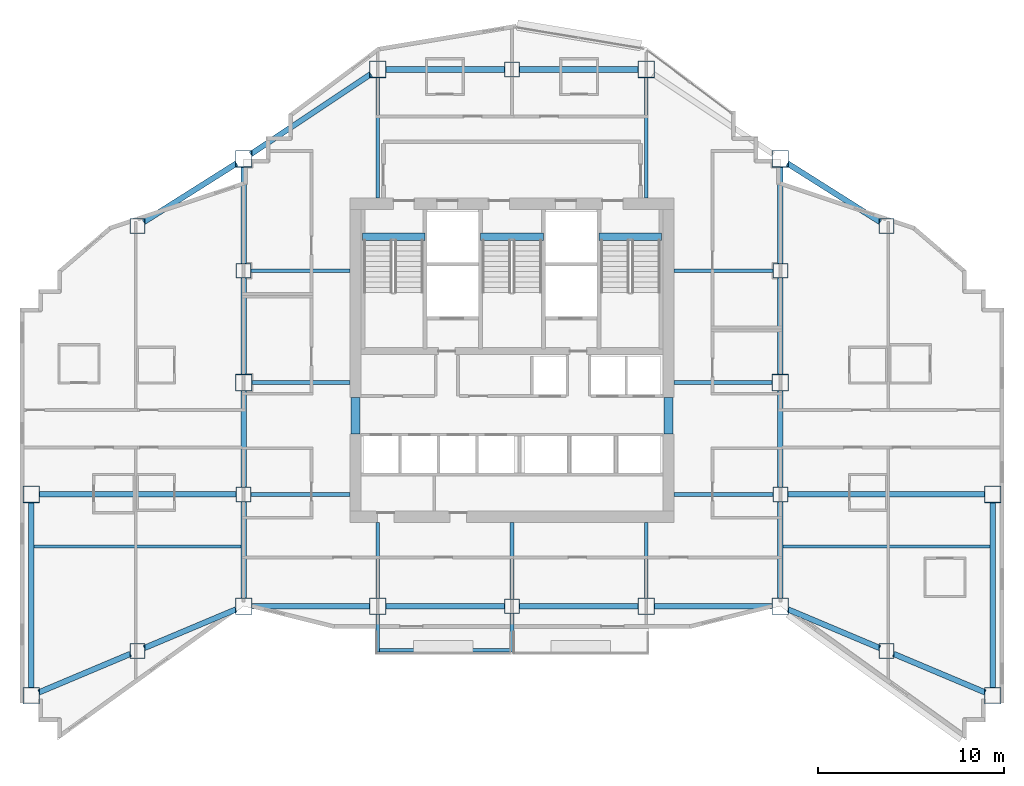
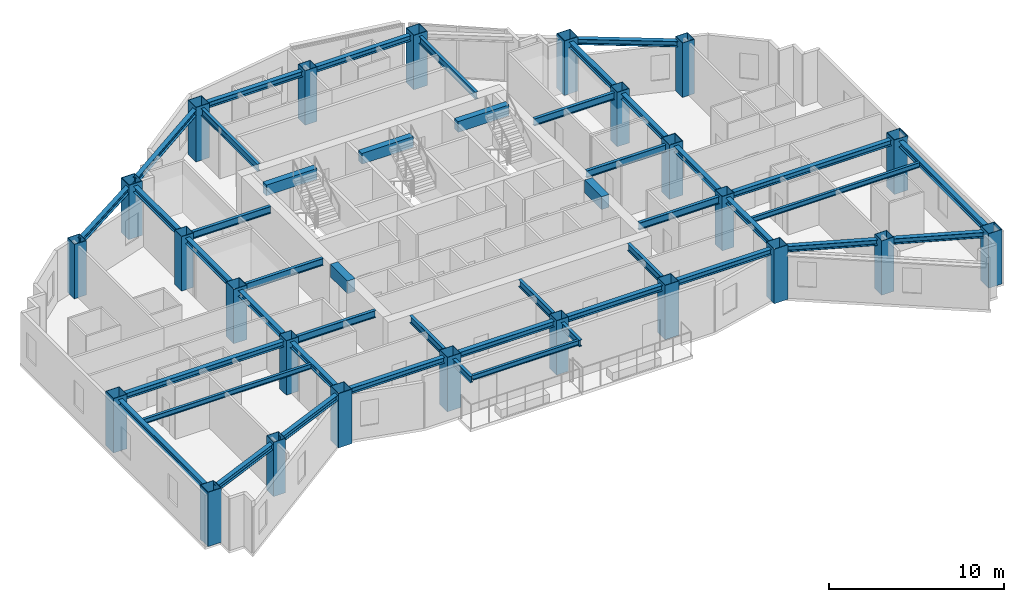
# One storey, part 1 of 12: 46 beams, 24 columns.
"""IFC4 building model written with IfcOpenShell, lengths in metres."""

import ifcopenshell
import ifcopenshell.guid

model = None  # the IFC model being written
_history = None  # IfcOwnerHistory: only IFC2X3 demands one
_inside = {}  # id of a spatial element -> (the spatial element, [elements in it])
_under = {}  # id of a project, library or spatial element -> (it, [spatial elements below it])
_declared = {}  # id of a project -> (the project, [libraries it declares])
_typed = {}  # id of a type object -> (the type object, [elements of that type])
_made_of = {}  # id of a material, layer set ... -> (it, [elements and type objects made of it])


def new_model(schema):
    """Start an empty IFC model of exactly this schema.

    Asked for "IFC4X3", IfcOpenShell would pick the latest addendum, in which some entities
    have other attributes; the version numbers below select the first issue.
    IFC2X3 requires an IfcOwnerHistory on every rooted entity: one is made here for all.
    """
    global model, _history
    if schema == "IFC4X3":
        model = ifcopenshell.file(schema_version=(4, 3, 0, 0))
    else:
        model = ifcopenshell.file(schema=schema)
    _inside.clear()
    _under.clear()
    _declared.clear()
    _typed.clear()
    _made_of.clear()
    _history = None
    if model.schema == "IFC2X3":
        org = make("IfcOrganization", Name="unknown")
        user = make(
            "IfcPersonAndOrganization",
            ThePerson=make("IfcPerson", FamilyName="unknown"),
            TheOrganization=org,
        )
        app = make(
            "IfcApplication",
            ApplicationDeveloper=org,
            Version="unknown",
            ApplicationFullName="unknown",
            ApplicationIdentifier="unknown",
        )
        _history = make(
            "IfcOwnerHistory",
            OwningUser=user,
            OwningApplication=app,
            ChangeAction="ADDED",
            CreationDate=0,
        )
    return model


def make(cls, **values):
    """One entity of the class cls with the attributes given. An attribute that is None is left unset."""
    return model.create_entity(
        cls, **{name: value for name, value in values.items() if value is not None}
    )


def rooted(cls, **values):
    """An entity with a GlobalId (a new one), such as an element, a storey or a relation."""
    return make(cls, GlobalId=ifcopenshell.guid.new(), OwnerHistory=_history, **values)


def si_unit(unit_type, name, prefix=None):
    """IfcSIUnit, for example si_unit("LENGTHUNIT", "METRE", prefix="MILLI")."""
    return make("IfcSIUnit", UnitType=unit_type, Prefix=prefix, Name=name)


def assignment(units):
    """IfcUnitAssignment: the units of a project."""
    return None if units is None else make("IfcUnitAssignment", Units=units)


def point(xyz):
    """IfcCartesianPoint."""
    return None if xyz is None else make("IfcCartesianPoint", Coordinates=xyz)


def direction(xyz):
    """IfcDirection."""
    return None if xyz is None else make("IfcDirection", DirectionRatios=xyz)


def frame(location, z_axis=None, x_axis=None):
    """IfcAxis2Placement3D, a coordinate frame: its origin and axes. An axis left out is left unset."""
    return make(
        "IfcAxis2Placement3D",
        Location=point(location),
        Axis=direction(z_axis),
        RefDirection=direction(x_axis),
    )


def frame_2d(location, x_axis=None):
    """IfcAxis2Placement2D, a coordinate frame in the plane: its origin and x axis."""
    return make(
        "IfcAxis2Placement2D", Location=point(location), RefDirection=direction(x_axis)
    )


def origin():
    """The frame at (0, 0, 0) with its axes left unset."""
    return frame((0.0, 0.0, 0.0))


def origin_2d():
    """The frame at (0, 0) in the plane with its x axis left unset."""
    return frame_2d((0.0, 0.0))


def place(relative_to, where):
    """IfcLocalPlacement: puts the frame where relative to a parent placement (None: the world)."""
    return make(
        "IfcLocalPlacement", PlacementRelTo=relative_to, RelativePlacement=where
    )


def context(
    kind, dimensions, precision=None, world=None, true_north=None, identifier=None
):
    """IfcGeometricRepresentationContext, for example the 3D "Model" context."""
    return make(
        "IfcGeometricRepresentationContext",
        ContextIdentifier=identifier,
        ContextType=kind,
        CoordinateSpaceDimension=dimensions,
        Precision=precision,
        WorldCoordinateSystem=world,
        TrueNorth=true_north,
    )


def subcontext(parent, identifier, kind, view, scale=None):
    """IfcGeometricRepresentationSubContext, for example "Body" below "Model"."""
    return make(
        "IfcGeometricRepresentationSubContext",
        ContextIdentifier=identifier,
        ContextType=kind,
        ParentContext=parent,
        TargetScale=scale,
        TargetView=view,
    )


def project(units=None, contexts=None):
    """IfcProject with its units and contexts."""
    return rooted(
        "IfcProject",
        Name="project",
        RepresentationContexts=contexts,
        UnitsInContext=assignment(units),
    )


def spatial(cls, under=None, at=None, **own):
    """A site, building, storey or space (cls), placed at a placement, below another one or the project."""
    s = rooted(cls, ObjectPlacement=at, **own)
    if under is not None:
        _under.setdefault(under.id(), (under, []))[1].append(s)
    return s


def profile(cls, at=None, kind="AREA", **sizes):
    """A parametric profile (cls). Its sizes go by their IFC names, for example OverallWidth=200.0."""
    return make(cls, ProfileType=kind, Position=at, **sizes)


def rectangle(**sizes):
    """IfcRectangleProfileDef."""
    return profile("IfcRectangleProfileDef", **sizes)


def hollow_rectangle(**sizes):
    """IfcRectangleHollowProfileDef."""
    return profile("IfcRectangleHollowProfileDef", **sizes)


def i_section(**sizes):
    """IfcIShapeProfileDef."""
    return profile("IfcIShapeProfileDef", **sizes)


def extrude(swept, where, along, depth):
    """IfcExtrudedAreaSolid: the profile swept, set in the frame where, extruded along a direction by depth."""
    return make(
        "IfcExtrudedAreaSolid",
        SweptArea=swept,
        Position=where,
        ExtrudedDirection=direction(along),
        Depth=depth,
    )


def shape(context_of_items, identifier, shape_type, items):
    """IfcShapeRepresentation: the items that make up one representation, for example the "Body"."""
    return make(
        "IfcShapeRepresentation",
        ContextOfItems=context_of_items,
        RepresentationIdentifier=identifier,
        RepresentationType=shape_type,
        Items=items,
    )


def material(Name=None, Category=None):
    """IfcMaterial."""
    return make("IfcMaterial", Name=Name, Category=Category)


def material_profile(
    of_material, cross_section, Name=None, Category=None, Priority=None
):
    """IfcMaterialProfile: a cross section and its material."""
    return make(
        "IfcMaterialProfile",
        Name=Name,
        Material=of_material,
        Profile=cross_section,
        Priority=Priority,
        Category=Category,
    )


def profile_set(profiles, Name=None, composite=None):
    """IfcMaterialProfileSet."""
    return make(
        "IfcMaterialProfileSet",
        Name=Name,
        MaterialProfiles=profiles,
        CompositeProfile=composite,
    )


def made_of(thing, what):
    """Note that an element or type object is made of a material, layer set ...; save() writes the relation."""
    if what is not None:
        _made_of.setdefault(what.id(), (what, []))[1].append(thing)
    return thing


def type_object(cls, material=None, **own):
    """A type object (cls), such as IfcWallType, which elements share."""
    return made_of(rooted(cls, **own), material)


def element(
    cls,
    number,
    at=None,
    inside=None,
    cuts=None,
    type_object=None,
    material=None,
    context=None,
    identifier="Body",
    shape_type=None,
    held_by="IfcProductDefinitionShape",
    body=None,
    shapes=None,
    **own,
):
    """One element of the class cls, such as IfcWall. Its Tag is "e" and its number.

    at: its placement. inside: the storey or other place that contains it. cuts: it is an
    opening in that element (IfcRelVoidsElement). A single representation is given by context,
    identifier, shape_type and body (its items); several are given by shapes. held_by: the class
    of the entity that holds the representations. save() writes the other relations.
    """
    e = rooted(cls, Tag="e%d" % number, ObjectPlacement=at, **own)
    if body is not None:
        shapes = [shape(context, identifier, shape_type, body)]
    if shapes is not None:
        e.Representation = make(held_by, Representations=shapes)
    if inside is not None:
        _inside.setdefault(inside.id(), (inside, []))[1].append(e)
    if cuts is not None:
        rooted(
            "IfcRelVoidsElement", RelatingBuildingElement=cuts, RelatedOpeningElement=e
        )
    if type_object is not None:
        _typed.setdefault(type_object.id(), (type_object, []))[1].append(e)
    return made_of(e, material)


def aggregate(whole, parts):
    """IfcRelAggregates: a whole, such as a stair, and the parts it consists of."""
    return rooted("IfcRelAggregates", RelatingObject=whole, RelatedObjects=parts)


def save(model, path):
    """Write the relations noted so far, then the file.

    IfcRelAggregates (storeys below a building ...), IfcRelContainedInSpatialStructure (elements
    in a storey), IfcRelDefinesByType, IfcRelAssociatesMaterial and IfcRelDeclares: one each for
    every whole, place, type object, material and project.
    """
    for whole, parts in _under.values():
        aggregate(whole, parts)
    for where, things in _inside.values():
        rooted(
            "IfcRelContainedInSpatialStructure",
            RelatedElements=things,
            RelatingStructure=where,
        )
    for kind, things in _typed.values():
        rooted("IfcRelDefinesByType", RelatedObjects=things, RelatingType=kind)
    for what, things in _made_of.values():
        rooted("IfcRelAssociatesMaterial", RelatedObjects=things, RelatingMaterial=what)
    for by, libraries in _declared.values():
        rooted("IfcRelDeclares", RelatingContext=by, RelatedDefinitions=libraries)
    model.write(path)


model = new_model("IFC4")

# Units and contexts
model_context = context("Model", 3, precision=1e-05, world=origin(), true_north=direction((0.0, 1.0)))
body_context = subcontext(model_context, "Body", "Model", "MODEL_VIEW")
ifc_project = project(units=[si_unit("LENGTHUNIT", "METRE"), si_unit("AREAUNIT", "SQUARE_METRE"), si_unit("VOLUMEUNIT", "CUBIC_METRE"), si_unit("PLANEANGLEUNIT", "RADIAN"), si_unit("MASSUNIT", "GRAM", prefix="KILO")], contexts=[model_context])

# Site, building, storey
site_placement = place(None, origin())
site = spatial("IfcSite", under=ifc_project, at=site_placement, CompositionType="ELEMENT")
building_placement = place(site_placement, origin())
building = spatial("IfcBuilding", under=site, at=building_placement, Name="Haolan Belvedere Tower", CompositionType="ELEMENT")
storey_placement = place(building_placement, frame((0.0, 0.0, 169.0)))
storey = spatial("IfcBuildingStorey", under=building, at=storey_placement, Name="L42", CompositionType="ELEMENT", Elevation=169.0)

# Columns
ifc_material_1 = material(Name="Steel Q390GJC", Category="steel")
ifc_material_profile_1 = material_profile(ifc_material_1, hollow_rectangle(XDim=0.800048828125, YDim=0.800048828125, WallThickness=0.030029296875, at=origin_2d()), Name="Steel Q390GJC")
ifc_profile_set_1 = profile_set([ifc_material_profile_1], Name="Steel Q390GJC")
column_type_1 = type_object("IfcColumnType", Name="COL-BOX800x800x30", PredefinedType="COLUMN", material=ifc_profile_set_1)
for number, where, z_axis, x_axis, name in (
    (1, (24.0, 27.60009765625, 0.0), (0.0, 0.0, 1.0), (1.0, 0.0, 0.0), "L42 column TC-T3-W1 (BOX800x800x30)"),
    (2, (24.0, 39.60009765625, 0.0), (0.0, 0.0, 1.0), (1.0, 0.0, 0.0), "L42 column TC-T3-W2 (BOX800x800x30)"),
    (3, (52.800048828125, 27.60009765625, 0.0), (0.0, 0.0, 1.0), (1.0, 0.0, 0.0), "L42 column TC-T3-E1 (BOX800x800x30)"),
    (4, (52.800048828125, 39.60009765625, 0.0), (0.0, 0.0, 1.0), (1.0, 0.0, 0.0), "L42 column TC-T3-E2 (BOX800x800x30)"),
    (5, (38.39990234375, 21.60009765625, 0.0), (0.0, 0.0, 1.0), (1.0, 0.0, 0.0), "L42 column TC-T3-SM (BOX800x800x30)"),
    (6, (38.39990234375, 50.39990234375, 0.0), (0.0, 0.0, 1.0), (1.0, 0.0, 0.0), "L42 column TC-T3-NM (BOX800x800x30)"),
    (7, (18.300048828125, 19.199951171875, 0.0), (0.0, 0.0, 1.0), (1.0, 0.0, 0.0), "L42 column TC-T2-S1 (BOX800x800x30)"),
    (8, (18.300048828125, 42.0, 0.0), (0.0, 0.0, 1.0), (1.0, 0.0, 0.0), "L42 column TC-T2-N1 (BOX800x800x30)"),
    (9, (58.5, 19.199951171875, 0.0), (0.0, 0.0, 1.0), (1.0, 0.0, 0.0), "L42 column TC-T4-S1 (BOX800x800x30)"),
    (10, (58.5, 42.0, 0.0), (0.0, 0.0, 1.0), (1.0, 0.0, 0.0), "L42 column TC-T4-N1 (BOX800x800x30)"),
):
    element("IfcColumn", number, at=place(storey_placement, frame(where, z_axis=z_axis, x_axis=x_axis)), inside=storey, type_object=column_type_1, Name=name, PredefinedType="COLUMN", context=body_context, shape_type="SweptSolid", body=[
        extrude(hollow_rectangle(XDim=0.800048828125, YDim=0.800048828125, WallThickness=0.030029296875, at=origin_2d()), origin(), (0.0, 0.0, 1.0), 3.800048828125),
    ])
ifc_material_profile_2 = material_profile(ifc_material_1, hollow_rectangle(XDim=0.89990234375, YDim=0.89990234375, WallThickness=0.033935546875, at=origin_2d()), Name="Steel Q390GJC")
ifc_profile_set_2 = profile_set([ifc_material_profile_2], Name="Steel Q390GJC")
column_type_2 = type_object("IfcColumnType", Name="COL-BOX900x900x34", PredefinedType="COLUMN", material=ifc_profile_set_2)
for number, where, z_axis, x_axis, name in (
    (11, (24.0, 21.60009765625, 0.0), (0.0, 0.0, 1.0), (1.0, 0.0, 0.0), "L42 column MC-T3-SW (BOX900x900x34)"),
    (12, (24.0, 33.60009765625, 0.0), (0.0, 0.0, 1.0), (1.0, 0.0, 0.0), "L42 column MC-T3-MW (BOX900x900x34)"),
    (13, (24.0, 45.60009765625, 0.0), (0.0, 0.0, 1.0), (1.0, 0.0, 0.0), "L42 column MC-T3-NW (BOX900x900x34)"),
    (14, (52.800048828125, 21.60009765625, 0.0), (0.0, 0.0, 1.0), (1.0, 0.0, 0.0), "L42 column MC-T3-SE (BOX900x900x34)"),
    (15, (52.800048828125, 33.60009765625, 0.0), (0.0, 0.0, 1.0), (1.0, 0.0, 0.0), "L42 column MC-T3-ME (BOX900x900x34)"),
    (16, (52.800048828125, 45.60009765625, 0.0), (0.0, 0.0, 1.0), (1.0, 0.0, 0.0), "L42 column MC-T3-NE (BOX900x900x34)"),
    (17, (31.199951171875, 21.60009765625, 0.0), (0.0, 0.0, 1.0), (1.0, 0.0, 0.0), "L42 column MC-T3-S1 (BOX900x900x34)"),
    (18, (45.60009765625, 21.60009765625, 0.0), (0.0, 0.0, 1.0), (1.0, 0.0, 0.0), "L42 column MC-T3-S2 (BOX900x900x34)"),
    (19, (31.199951171875, 50.39990234375, 0.0), (0.0, 0.0, 1.0), (1.0, 0.0, 0.0), "L42 column MC-T3-N1 (BOX900x900x34)"),
    (20, (45.60009765625, 50.39990234375, 0.0), (0.0, 0.0, 1.0), (1.0, 0.0, 0.0), "L42 column MC-T3-N2 (BOX900x900x34)"),
    (21, (12.60009765625, 16.800048828125, 0.0), (0.0, 0.0, 1.0), (1.0, 0.0, 0.0), "L42 column MC-T2-SW (BOX900x900x34)"),
    (22, (12.60009765625, 27.60009765625, 0.0), (0.0, 0.0, 1.0), (1.0, 0.0, 0.0), "L42 column MC-T2-MW (BOX900x900x34)"),
    (23, (64.199951171875, 16.800048828125, 0.0), (0.0, 0.0, 1.0), (1.0, 0.0, 0.0), "L42 column MC-T4-SE (BOX900x900x34)"),
    (24, (64.199951171875, 27.60009765625, 0.0), (0.0, 0.0, 1.0), (1.0, 0.0, 0.0), "L42 column MC-T4-ME (BOX900x900x34)"),
):
    element("IfcColumn", number, at=place(storey_placement, frame(where, z_axis=z_axis, x_axis=x_axis)), inside=storey, type_object=column_type_2, Name=name, PredefinedType="COLUMN", context=body_context, shape_type="SweptSolid", body=[
        extrude(hollow_rectangle(XDim=0.89990234375, YDim=0.89990234375, WallThickness=0.033935546875, at=origin_2d()), origin(), (0.0, 0.0, 1.0), 3.800048828125),
    ])

# Beams
ifc_material_2 = material(Name="Steel Q355B", Category="steel")
ifc_material_profile_3 = material_profile(ifc_material_2, i_section(OverallWidth=0.300048828125, OverallDepth=0.389892578125, WebThickness=0.010009765625, FlangeThickness=0.01611328125, FilletRadius=0.02197265625, at=origin_2d()), Name="Steel Q355B")
ifc_profile_set_3 = profile_set([ifc_material_profile_3], Name="Steel Q355B")
beam_type_1 = type_object("IfcBeamType", Name="BM-HM390x300x10x16", PredefinedType="SPANDREL", material=ifc_profile_set_3)
for number, where, z_axis, x_axis, name in (
    (25, (24.0, 22.050048828125, 3.425048828125), (0.0, 1.0, 0.0), (-1.0, 0.0, 0.0), "L42 spandrel girder MC-T3-SW-TC-T3-W1"),
    (26, (24.0, 28.0, 3.425048828125), (0.0, 1.0, 0.0), (-1.0, 0.0, 0.0), "L42 spandrel girder TC-T3-W1-MC-T3-MW"),
    (27, (24.0, 34.050048828125, 3.425048828125), (0.0, 1.0, 0.0), (-1.0, 0.0, 0.0), "L42 spandrel girder MC-T3-MW-TC-T3-W2"),
    (28, (24.0, 40.0, 3.425048828125), (0.0, 1.0, 0.0), (-1.0, 0.0, 0.0), "L42 spandrel girder TC-T3-W2-MC-T3-NW"),
    (29, (52.800048828125, 22.050048828125, 3.425048828125), (0.0, 1.0, 0.0), (-1.0, 0.0, 0.0), "L42 spandrel girder MC-T3-SE-TC-T3-E1"),
    (30, (52.800048828125, 28.0, 3.425048828125), (0.0, 1.0, 0.0), (-1.0, 0.0, 0.0), "L42 spandrel girder TC-T3-E1-MC-T3-ME"),
    (31, (52.800048828125, 34.050048828125, 3.425048828125), (0.0, 1.0, 0.0), (-1.0, 0.0, 0.0), "L42 spandrel girder MC-T3-ME-TC-T3-E2"),
    (32, (52.800048828125, 40.0, 3.425048828125), (0.0, 1.0, 0.0), (-1.0, 0.0, 0.0), "L42 spandrel girder TC-T3-E2-MC-T3-NE"),
):
    element("IfcBeam", number, at=place(storey_placement, frame(where, z_axis=z_axis, x_axis=x_axis)), inside=storey, type_object=beam_type_1, Name=name, PredefinedType="SPANDREL", context=body_context, shape_type="SweptSolid", body=[
        extrude(i_section(OverallWidth=0.300048828125, OverallDepth=0.389892578125, WebThickness=0.010009765625, FlangeThickness=0.01611328125, FilletRadius=0.02197265625, at=origin_2d()), origin(), (0.0, 0.0, 1.0), 5.14990234375),
    ])
beam_1_placement = place(storey_placement, frame((24.449951171875, 21.60009765625, 3.425048828125), z_axis=(1.0, 0.0, 0.0), x_axis=(0.0, 1.0, 0.0)))
element("IfcBeam", 33, at=beam_1_placement, inside=storey, type_object=beam_type_1, Name="L42 spandrel girder MC-T3-SW-MC-T3-S1", PredefinedType="SPANDREL", context=body_context, shape_type="SweptSolid", body=[
    extrude(i_section(OverallWidth=0.300048828125, OverallDepth=0.389892578125, WebThickness=0.010009765625, FlangeThickness=0.01611328125, FilletRadius=0.02197265625, at=origin_2d()), origin(), (0.0, 0.0, 1.0), 6.300048828125),
])
beam_2_placement = place(storey_placement, frame((31.64990234375, 21.60009765625, 3.425048828125), z_axis=(1.0, 0.0, 0.0), x_axis=(0.0, 1.0, 0.0)))
element("IfcBeam", 34, at=beam_2_placement, inside=storey, type_object=beam_type_1, Name="L42 spandrel girder MC-T3-S1-TC-T3-SM", PredefinedType="SPANDREL", context=body_context, shape_type="SweptSolid", body=[
    extrude(i_section(OverallWidth=0.300048828125, OverallDepth=0.389892578125, WebThickness=0.010009765625, FlangeThickness=0.01611328125, FilletRadius=0.02197265625, at=origin_2d()), origin(), (0.0, 0.0, 1.0), 6.35009765625),
])
beam_3_placement = place(storey_placement, frame((38.800048828125, 21.60009765625, 3.425048828125), z_axis=(1.0, 0.0, 0.0), x_axis=(0.0, 1.0, 0.0)))
element("IfcBeam", 35, at=beam_3_placement, inside=storey, type_object=beam_type_1, Name="L42 spandrel girder TC-T3-SM-MC-T3-S2", PredefinedType="SPANDREL", context=body_context, shape_type="SweptSolid", body=[
    extrude(i_section(OverallWidth=0.300048828125, OverallDepth=0.389892578125, WebThickness=0.010009765625, FlangeThickness=0.01611328125, FilletRadius=0.02197265625, at=origin_2d()), origin(), (0.0, 0.0, 1.0), 6.349853515625),
])
beam_4_placement = place(storey_placement, frame((46.050048828125, 21.60009765625, 3.425048828125), z_axis=(1.0, 0.0, 0.0), x_axis=(0.0, 1.0, 0.0)))
element("IfcBeam", 36, at=beam_4_placement, inside=storey, type_object=beam_type_1, Name="L42 spandrel girder MC-T3-S2-MC-T3-SE", PredefinedType="SPANDREL", context=body_context, shape_type="SweptSolid", body=[
    extrude(i_section(OverallWidth=0.300048828125, OverallDepth=0.389892578125, WebThickness=0.010009765625, FlangeThickness=0.01611328125, FilletRadius=0.02197265625, at=origin_2d()), origin(), (0.0, 0.0, 1.0), 6.300048828125),
])
beam_5_placement = place(storey_placement, frame((24.37451171875, 45.849609375, 3.425048828125), z_axis=(0.832050294338, 0.554700196225, 0.0), x_axis=(-0.554700196225, 0.832050294338, 0.0)))
element("IfcBeam", 37, at=beam_5_placement, inside=storey, type_object=beam_type_1, Name="L42 spandrel girder MC-T3-NW-MC-T3-N1", PredefinedType="SPANDREL", context=body_context, shape_type="SweptSolid", body=[
    extrude(i_section(OverallWidth=0.300048828125, OverallDepth=0.389892578125, WebThickness=0.010009765625, FlangeThickness=0.01611328125, FilletRadius=0.02197265625, at=origin_2d()), origin(), (0.0, 0.0, 1.0), 7.75341796875),
])
beam_6_placement = place(storey_placement, frame((31.64990234375, 50.39990234375, 3.425048828125), z_axis=(1.0, 0.0, 0.0), x_axis=(0.0, 1.0, 0.0)))
element("IfcBeam", 38, at=beam_6_placement, inside=storey, type_object=beam_type_1, Name="L42 spandrel girder MC-T3-N1-TC-T3-NM", PredefinedType="SPANDREL", context=body_context, shape_type="SweptSolid", body=[
    extrude(i_section(OverallWidth=0.300048828125, OverallDepth=0.389892578125, WebThickness=0.010009765625, FlangeThickness=0.01611328125, FilletRadius=0.02197265625, at=origin_2d()), origin(), (0.0, 0.0, 1.0), 6.35009765625),
])
beam_7_placement = place(storey_placement, frame((38.800048828125, 50.39990234375, 3.425048828125), z_axis=(1.0, 0.0, 0.0), x_axis=(0.0, 1.0, 0.0)))
element("IfcBeam", 39, at=beam_7_placement, inside=storey, type_object=beam_type_1, Name="L42 spandrel girder TC-T3-NM-MC-T3-N2", PredefinedType="SPANDREL", context=body_context, shape_type="SweptSolid", body=[
    extrude(i_section(OverallWidth=0.300048828125, OverallDepth=0.389892578125, WebThickness=0.010009765625, FlangeThickness=0.01611328125, FilletRadius=0.02197265625, at=origin_2d()), origin(), (0.0, 0.0, 1.0), 6.349853515625),
])
beam_8_placement = place(storey_placement, frame((12.60009765625, 17.25, 3.425048828125), z_axis=(0.0, 1.0, 0.0), x_axis=(-1.0, 0.0, 0.0)))
element("IfcBeam", 40, at=beam_8_placement, inside=storey, type_object=beam_type_1, Name="L42 spandrel girder MC-T2-SW-MC-T2-MW", PredefinedType="SPANDREL", context=body_context, shape_type="SweptSolid", body=[
    extrude(i_section(OverallWidth=0.300048828125, OverallDepth=0.389892578125, WebThickness=0.010009765625, FlangeThickness=0.01611328125, FilletRadius=0.02197265625, at=origin_2d()), origin(), (0.0, 0.0, 1.0), 9.89990234375),
])
beam_9_placement = place(storey_placement, frame((13.0146484375, 16.974609375, 3.425048828125), z_axis=(0.921644850741, 0.388034494733, 0.0), x_axis=(-0.388034494733, 0.921644850741, 0.0)))
element("IfcBeam", 41, at=beam_9_placement, inside=storey, type_object=beam_type_1, Name="L42 spandrel girder MC-T2-SW-TC-T2-S1", PredefinedType="SPANDREL", context=body_context, shape_type="SweptSolid", body=[
    extrude(i_section(OverallWidth=0.300048828125, OverallDepth=0.389892578125, WebThickness=0.010009765625, FlangeThickness=0.01611328125, FilletRadius=0.02197265625, at=origin_2d()), origin(), (0.0, 0.0, 1.0), 5.334716796875),
])
beam_10_placement = place(storey_placement, frame((18.668701171875, 19.355224609375, 3.425048828125), z_axis=(0.921637959557, 0.388050862006, 0.0), x_axis=(-0.388050862006, 0.921637959557, 0.0)))
element("IfcBeam", 42, at=beam_10_placement, inside=storey, type_object=beam_type_1, Name="L42 spandrel girder TC-T2-S1-MC-T3-SW", PredefinedType="SPANDREL", context=body_context, shape_type="SweptSolid", body=[
    extrude(i_section(OverallWidth=0.300048828125, OverallDepth=0.389892578125, WebThickness=0.010009765625, FlangeThickness=0.01611328125, FilletRadius=0.02197265625, at=origin_2d()), origin(), (0.0, 0.0, 1.0), 5.33447265625),
])
beam_11_placement = place(storey_placement, frame((18.63818359375, 42.213623046875, 3.425048828125), z_axis=(0.845502688092, 0.533971164417, 0.0), x_axis=(-0.533971164417, 0.845502688092, 0.0)))
element("IfcBeam", 43, at=beam_11_placement, inside=storey, type_object=beam_type_1, Name="L42 spandrel girder TC-T2-N1-MC-T3-NW", PredefinedType="SPANDREL", context=body_context, shape_type="SweptSolid", body=[
    extrude(i_section(OverallWidth=0.300048828125, OverallDepth=0.389892578125, WebThickness=0.010009765625, FlangeThickness=0.01611328125, FilletRadius=0.02197265625, at=origin_2d()), origin(), (0.0, 0.0, 1.0), 5.8916015625),
])
beam_12_placement = place(storey_placement, frame((13.050048828125, 27.60009765625, 3.425048828125), z_axis=(1.0, 0.0, 0.0), x_axis=(0.0, 1.0, 0.0)))
element("IfcBeam", 44, at=beam_12_placement, inside=storey, type_object=beam_type_1, Name="L42 spandrel girder MC-T2-MW-TC-T3-W1", PredefinedType="SPANDREL", context=body_context, shape_type="SweptSolid", body=[
    extrude(i_section(OverallWidth=0.300048828125, OverallDepth=0.389892578125, WebThickness=0.010009765625, FlangeThickness=0.01611328125, FilletRadius=0.02197265625, at=origin_2d()), origin(), (0.0, 0.0, 1.0), 10.550048828125),
])
beam_13_placement = place(storey_placement, frame((64.199951171875, 17.25, 3.425048828125), z_axis=(0.0, 1.0, 0.0), x_axis=(-1.0, 0.0, 0.0)))
element("IfcBeam", 45, at=beam_13_placement, inside=storey, type_object=beam_type_1, Name="L42 spandrel girder MC-T4-SE-MC-T4-ME", PredefinedType="SPANDREL", context=body_context, shape_type="SweptSolid", body=[
    extrude(i_section(OverallWidth=0.300048828125, OverallDepth=0.389892578125, WebThickness=0.010009765625, FlangeThickness=0.01611328125, FilletRadius=0.02197265625, at=origin_2d()), origin(), (0.0, 0.0, 1.0), 9.89990234375),
])
for number, where, z_axis, x_axis, name in (
    (46, (53.21484375, 21.42529296875, 3.425048828125), (0.921637959557, -0.388050862006, 0.0), (0.388050862006, 0.921637959557, 0.0), "L42 spandrel girder MC-T3-SE-TC-T4-S1"),
    (47, (58.86865234375, 19.044677734375, 3.425048828125), (0.921637959557, -0.388050862006, 0.0), (0.388050862006, 0.921637959557, 0.0), "L42 spandrel girder TC-T4-S1-MC-T4-SE"),
):
    element("IfcBeam", number, at=place(storey_placement, frame(where, z_axis=z_axis, x_axis=x_axis)), inside=storey, type_object=beam_type_1, Name=name, PredefinedType="SPANDREL", context=body_context, shape_type="SweptSolid", body=[
        extrude(i_section(OverallWidth=0.300048828125, OverallDepth=0.389892578125, WebThickness=0.010009765625, FlangeThickness=0.01611328125, FilletRadius=0.02197265625, at=origin_2d()), origin(), (0.0, 0.0, 1.0), 5.33447265625),
    ])
beam_14_placement = place(storey_placement, frame((53.180419921875, 45.359619140625, 3.425048828125), z_axis=(0.845502688092, -0.533971164417, 0.0), x_axis=(0.533971164417, 0.845502688092, 0.0)))
element("IfcBeam", 48, at=beam_14_placement, inside=storey, type_object=beam_type_1, Name="L42 spandrel girder MC-T3-NE-TC-T4-N1", PredefinedType="SPANDREL", context=body_context, shape_type="SweptSolid", body=[
    extrude(i_section(OverallWidth=0.300048828125, OverallDepth=0.389892578125, WebThickness=0.010009765625, FlangeThickness=0.01611328125, FilletRadius=0.02197265625, at=origin_2d()), origin(), (0.0, 0.0, 1.0), 5.8916015625),
])
beam_15_placement = place(storey_placement, frame((53.199951171875, 27.60009765625, 3.425048828125), z_axis=(1.0, 0.0, 0.0), x_axis=(0.0, 1.0, 0.0)))
element("IfcBeam", 49, at=beam_15_placement, inside=storey, type_object=beam_type_1, Name="L42 spandrel girder TC-T3-E1-MC-T4-ME", PredefinedType="SPANDREL", context=body_context, shape_type="SweptSolid", body=[
    extrude(i_section(OverallWidth=0.300048828125, OverallDepth=0.389892578125, WebThickness=0.010009765625, FlangeThickness=0.01611328125, FilletRadius=0.02197265625, at=origin_2d()), origin(), (0.0, 0.0, 1.0), 10.550048828125),
])
ifc_material_profile_4 = material_profile(ifc_material_2, i_section(OverallWidth=0.175048828125, OverallDepth=0.35009765625, WebThickness=0.007080078125, FlangeThickness=0.010986328125, FilletRadius=0.012939453125, at=origin_2d()), Name="Steel Q355B")
ifc_profile_set_4 = profile_set([ifc_material_profile_4], Name="Steel Q355B")
beam_type_2 = type_object("IfcBeamType", Name="BM-HN350x175x7x11", PredefinedType="JOIST", material=ifc_profile_set_4)
for number, where, z_axis, x_axis, name in (
    (50, (12.75, 24.800048828125, 3.445068359375), (1.0, 0.0, 0.0), (0.0, 1.0, 0.0), "L42 west wing floor joist 1"),
    (51, (52.949951171875, 24.800048828125, 3.445068359375), (1.0, 0.0, 0.0), (0.0, 1.0, 0.0), "L42 east wing floor joist 1"),
):
    element("IfcBeam", number, at=place(storey_placement, frame(where, z_axis=z_axis, x_axis=x_axis)), inside=storey, type_object=beam_type_2, Name=name, PredefinedType="JOIST", context=body_context, shape_type="SweptSolid", body=[
        extrude(i_section(OverallWidth=0.175048828125, OverallDepth=0.35009765625, WebThickness=0.007080078125, FlangeThickness=0.010986328125, FilletRadius=0.012939453125, at=origin_2d()), origin(), (0.0, 0.0, 1.0), 11.10009765625),
    ])
beam_16_placement = place(storey_placement, frame((31.300048828125, 19.239990234375, 3.39501953125), z_axis=(1.0, 0.0, 0.0), x_axis=(0.0, 1.0, 0.0)))
element("IfcBeam", 52, at=beam_16_placement, inside=storey, type_object=beam_type_2, Name="L43 tree-balcony front trimmer beam 1", PredefinedType="BEAM", context=body_context, shape_type="SweptSolid", body=[
    extrude(i_section(OverallWidth=0.175048828125, OverallDepth=0.35009765625, WebThickness=0.007080078125, FlangeThickness=0.010986328125, FilletRadius=0.012939453125, at=origin_2d()), origin(), (0.0, 0.0, 1.0), 7.0),
])
ifc_material_profile_5 = material_profile(ifc_material_2, i_section(OverallWidth=0.199951171875, OverallDepth=0.449951171875, WebThickness=0.009033203125, FlangeThickness=0.013916015625, FilletRadius=0.01611328125, at=origin_2d()), Name="Steel Q355B")
ifc_profile_set_5 = profile_set([ifc_material_profile_5], Name="Steel Q355B")
beam_type_3 = type_object("IfcBeamType", Name="BM-HN450x200x9x14", PredefinedType="BEAM", material=ifc_profile_set_5)
beam_17_placement = place(storey_placement, frame((31.199951171875, 21.14990234375, 3.344970703125), z_axis=(0.0, -1.0, 0.0), x_axis=(1.0, 0.0, 0.0)))
element("IfcBeam", 53, at=beam_17_placement, inside=storey, type_object=beam_type_3, Name="L43 tree-balcony column cantilever MC-T3-S1", PredefinedType="BEAM", context=body_context, shape_type="SweptSolid", body=[
    extrude(i_section(OverallWidth=0.199951171875, OverallDepth=0.449951171875, WebThickness=0.009033203125, FlangeThickness=0.013916015625, FilletRadius=0.01611328125, at=origin_2d()), origin(), (0.0, 0.0, 1.0), 2.010009765625),
])
beam_18_placement = place(storey_placement, frame((38.39990234375, 21.199951171875, 3.344970703125), z_axis=(0.0, -1.0, 0.0), x_axis=(1.0, 0.0, 0.0)))
element("IfcBeam", 54, at=beam_18_placement, inside=storey, type_object=beam_type_3, Name="L43 tree-balcony column cantilever TC-T3-SM", PredefinedType="BEAM", context=body_context, shape_type="SweptSolid", body=[
    extrude(i_section(OverallWidth=0.199951171875, OverallDepth=0.449951171875, WebThickness=0.009033203125, FlangeThickness=0.013916015625, FilletRadius=0.01611328125, at=origin_2d()), origin(), (0.0, 0.0, 1.0), 2.06005859375),
])
ifc_material_profile_6 = material_profile(ifc_material_2, i_section(OverallWidth=0.199951171875, OverallDepth=0.5, WebThickness=0.010009765625, FlangeThickness=0.01611328125, FilletRadius=0.02001953125, at=origin_2d()), Name="Steel Q355B")
ifc_profile_set_6 = profile_set([ifc_material_profile_6], Name="Steel Q355B")
beam_type_4 = type_object("IfcBeamType", Name="BM-HN500x200x10x16", PredefinedType="BEAM", material=ifc_profile_set_6)
beam_19_placement = place(storey_placement, frame((24.449951171875, 33.60009765625, 3.3701171875), z_axis=(1.0, 0.0, 0.0), x_axis=(0.0, 1.0, 0.0)))
element("IfcBeam", 55, at=beam_19_placement, inside=storey, type_object=beam_type_4, Name="L42 core tie beam from MC-T3-MW", PredefinedType="BEAM", context=body_context, shape_type="SweptSolid", body=[
    extrude(i_section(OverallWidth=0.199951171875, OverallDepth=0.5, WebThickness=0.010009765625, FlangeThickness=0.01611328125, FilletRadius=0.02001953125, at=origin_2d()), origin(), (0.0, 0.0, 1.0), 5.25),
])
for number, where, z_axis, x_axis, name in (
    (56, (24.39990234375, 27.60009765625, 3.3701171875), (1.0, 0.0, 0.0), (0.0, 1.0, 0.0), "L42 core tie beam from TC-T3-W1"),
    (57, (24.39990234375, 39.60009765625, 3.3701171875), (1.0, 0.0, 0.0), (0.0, 1.0, 0.0), "L42 core tie beam from TC-T3-W2"),
):
    element("IfcBeam", number, at=place(storey_placement, frame(where, z_axis=z_axis, x_axis=x_axis)), inside=storey, type_object=beam_type_4, Name=name, PredefinedType="BEAM", context=body_context, shape_type="SweptSolid", body=[
        extrude(i_section(OverallWidth=0.199951171875, OverallDepth=0.5, WebThickness=0.010009765625, FlangeThickness=0.01611328125, FilletRadius=0.02001953125, at=origin_2d()), origin(), (0.0, 0.0, 1.0), 5.300048828125),
    ])
beam_20_placement = place(storey_placement, frame((52.35009765625, 33.60009765625, 3.3701171875), z_axis=(-1.0, 0.0, 0.0), x_axis=(0.0, -1.0, 0.0)))
element("IfcBeam", 58, at=beam_20_placement, inside=storey, type_object=beam_type_4, Name="L42 core tie beam from MC-T3-ME", PredefinedType="BEAM", context=body_context, shape_type="SweptSolid", body=[
    extrude(i_section(OverallWidth=0.199951171875, OverallDepth=0.5, WebThickness=0.010009765625, FlangeThickness=0.01611328125, FilletRadius=0.02001953125, at=origin_2d()), origin(), (0.0, 0.0, 1.0), 5.25),
])
for number, where, z_axis, x_axis, name in (
    (59, (52.39990234375, 27.60009765625, 3.3701171875), (-1.0, 0.0, 0.0), (0.0, -1.0, 0.0), "L42 core tie beam from TC-T3-E1"),
    (60, (52.39990234375, 39.60009765625, 3.3701171875), (-1.0, 0.0, 0.0), (0.0, -1.0, 0.0), "L42 core tie beam from TC-T3-E2"),
):
    element("IfcBeam", number, at=place(storey_placement, frame(where, z_axis=z_axis, x_axis=x_axis)), inside=storey, type_object=beam_type_4, Name=name, PredefinedType="BEAM", context=body_context, shape_type="SweptSolid", body=[
        extrude(i_section(OverallWidth=0.199951171875, OverallDepth=0.5, WebThickness=0.010009765625, FlangeThickness=0.01611328125, FilletRadius=0.02001953125, at=origin_2d()), origin(), (0.0, 0.0, 1.0), 5.2998046875),
    ])
beam_21_placement = place(storey_placement, frame((31.199951171875, 22.050048828125, 3.3701171875), z_axis=(0.0, 1.0, 0.0), x_axis=(-1.0, 0.0, 0.0)))
element("IfcBeam", 61, at=beam_21_placement, inside=storey, type_object=beam_type_4, Name="L42 core tie beam from MC-T3-S1", PredefinedType="BEAM", context=body_context, shape_type="SweptSolid", body=[
    extrude(i_section(OverallWidth=0.199951171875, OverallDepth=0.5, WebThickness=0.010009765625, FlangeThickness=0.01611328125, FilletRadius=0.02001953125, at=origin_2d()), origin(), (0.0, 0.0, 1.0), 4.050048828125),
])
beam_22_placement = place(storey_placement, frame((38.39990234375, 22.0, 3.3701171875), z_axis=(0.0, 1.0, 0.0), x_axis=(-1.0, 0.0, 0.0)))
element("IfcBeam", 62, at=beam_22_placement, inside=storey, type_object=beam_type_4, Name="L42 core tie beam from TC-T3-SM", PredefinedType="BEAM", context=body_context, shape_type="SweptSolid", body=[
    extrude(i_section(OverallWidth=0.199951171875, OverallDepth=0.5, WebThickness=0.010009765625, FlangeThickness=0.01611328125, FilletRadius=0.02001953125, at=origin_2d()), origin(), (0.0, 0.0, 1.0), 4.10009765625),
])
beam_23_placement = place(storey_placement, frame((45.60009765625, 22.050048828125, 3.3701171875), z_axis=(0.0, 1.0, 0.0), x_axis=(-1.0, 0.0, 0.0)))
element("IfcBeam", 63, at=beam_23_placement, inside=storey, type_object=beam_type_4, Name="L42 core tie beam from MC-T3-S2", PredefinedType="BEAM", context=body_context, shape_type="SweptSolid", body=[
    extrude(i_section(OverallWidth=0.199951171875, OverallDepth=0.5, WebThickness=0.010009765625, FlangeThickness=0.01611328125, FilletRadius=0.02001953125, at=origin_2d()), origin(), (0.0, 0.0, 1.0), 4.050048828125),
])
for number, where, z_axis, x_axis, name in (
    (64, (31.199951171875, 49.949951171875, 3.3701171875), (0.0, -1.0, 0.0), (1.0, 0.0, 0.0), "L42 core tie beam from MC-T3-N1"),
    (65, (45.60009765625, 49.949951171875, 3.3701171875), (0.0, -1.0, 0.0), (1.0, 0.0, 0.0), "L42 core tie beam from MC-T3-N2"),
):
    element("IfcBeam", number, at=place(storey_placement, frame(where, z_axis=z_axis, x_axis=x_axis)), inside=storey, type_object=beam_type_4, Name=name, PredefinedType="BEAM", context=body_context, shape_type="SweptSolid", body=[
        extrude(i_section(OverallWidth=0.199951171875, OverallDepth=0.5, WebThickness=0.010009765625, FlangeThickness=0.01611328125, FilletRadius=0.02001953125, at=origin_2d()), origin(), (0.0, 0.0, 1.0), 6.449951171875),
    ])
ifc_material_3 = material(Name="Concrete C50/60", Category="concrete")
ifc_material_profile_7 = material_profile(ifc_material_3, rectangle(XDim=0.39990234375, YDim=0.75, at=origin_2d()), Name="Concrete C50/60")
ifc_profile_set_7 = profile_set([ifc_material_profile_7], Name="Concrete C50/60")
beam_type_5 = type_object("IfcBeamType", Name="BM-RC400x750", PredefinedType="T_BEAM", material=ifc_profile_set_7)
beam_24_placement = place(storey_placement, frame((30.3798828125, 41.429931640625, 3.425048828125), z_axis=(1.0, 0.0, 0.0), x_axis=(0.0, 1.0, 0.0)))
element("IfcBeam", 66, at=beam_24_placement, inside=storey, type_object=beam_type_5, Name="L43 stair ST1 RC header trimmer beam", PredefinedType="BEAM", context=body_context, shape_type="SweptSolid", body=[
    extrude(rectangle(XDim=0.39990234375, YDim=0.75, at=origin_2d()), origin(), (0.0, 0.0, 1.0), 3.360107421875),
])
beam_25_placement = place(storey_placement, frame((36.699951171875, 41.429931640625, 3.425048828125), z_axis=(1.0, 0.0, 0.0), x_axis=(0.0, 1.0, 0.0)))
element("IfcBeam", 67, at=beam_25_placement, inside=storey, type_object=beam_type_5, Name="L43 stair ST3 RC header trimmer beam", PredefinedType="BEAM", context=body_context, shape_type="SweptSolid", body=[
    extrude(rectangle(XDim=0.39990234375, YDim=0.75, at=origin_2d()), origin(), (0.0, 0.0, 1.0), 3.400146484375),
])
beam_26_placement = place(storey_placement, frame((43.06005859375, 41.429931640625, 3.425048828125), z_axis=(1.0, 0.0, 0.0), x_axis=(0.0, 1.0, 0.0)))
element("IfcBeam", 68, at=beam_26_placement, inside=storey, type_object=beam_type_5, Name="L43 stair ST2 RC header trimmer beam", PredefinedType="BEAM", context=body_context, shape_type="SweptSolid", body=[
    extrude(rectangle(XDim=0.39990234375, YDim=0.75, at=origin_2d()), origin(), (0.0, 0.0, 1.0), 3.35986328125),
])
ifc_material_4 = material(Name="Concrete C60/75", Category="concrete")
ifc_material_profile_8 = material_profile(ifc_material_4, rectangle(XDim=0.5, YDim=0.89990234375, at=origin_2d()), Name="Concrete C60/75")
ifc_profile_set_8 = profile_set([ifc_material_profile_8], Name="Concrete C60/75")
beam_type_6 = type_object("IfcBeamType", Name="BM-RC500x900", PredefinedType="LINTEL", material=ifc_profile_set_8)
for number, where, z_axis, x_axis, name in (
    (69, (30.0, 30.85009765625, 3.169921875), (0.0, 1.0, 0.0), (-1.0, 0.0, 0.0), "L42 west core coupling beam CB-01"),
    (70, (46.800048828125, 30.85009765625, 3.169921875), (0.0, 1.0, 0.0), (-1.0, 0.0, 0.0), "L42 east core coupling beam CB-01"),
):
    element("IfcBeam", number, at=place(storey_placement, frame(where, z_axis=z_axis, x_axis=x_axis)), inside=storey, type_object=beam_type_6, Name=name, PredefinedType="LINTEL", context=body_context, shape_type="SweptSolid", body=[
        extrude(rectangle(XDim=0.5, YDim=0.89990234375, at=origin_2d()), origin(), (0.0, 0.0, 1.0), 1.949951171875),
    ])

save(model, "model.ifc")
